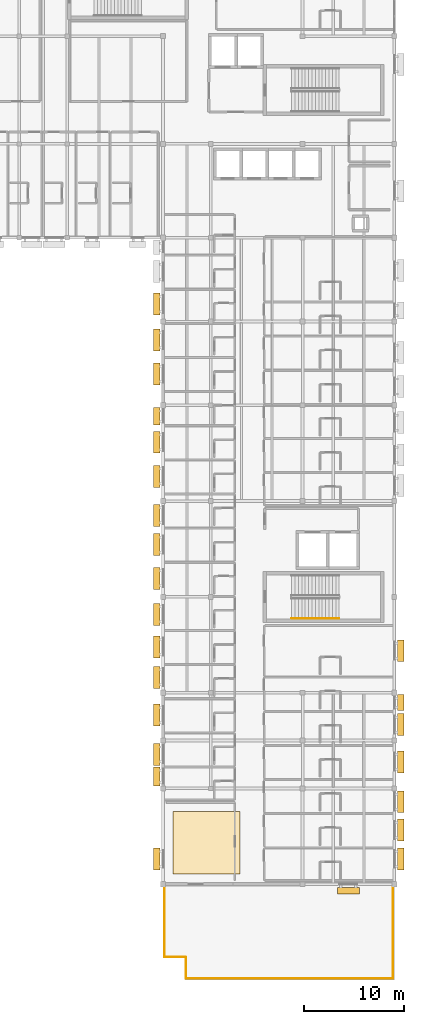
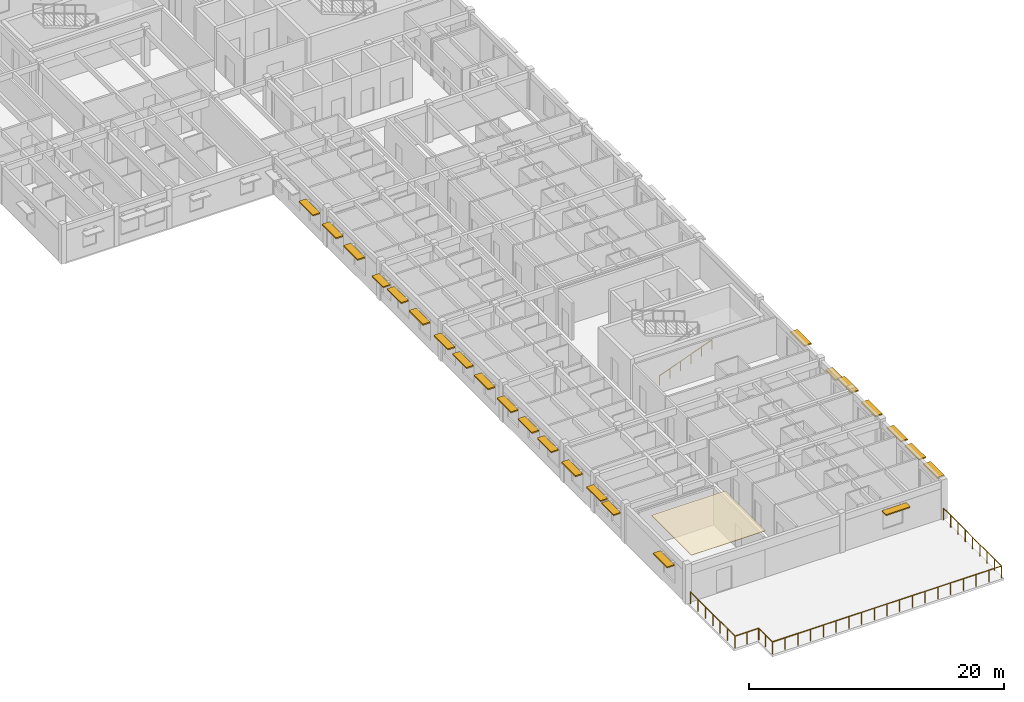
# One storey, part 18 of 22: 24 shading devices, 2 railings, 1 covering.
"""IFC4 building model written with IfcOpenShell, lengths in metres."""

from ifc_helpers import new_model, si_unit, direction, frame, origin, origin_2d, place, context, subcontext, project, spatial, polyline, rectangle, circle, outline, extrude, material, layer, layer_set, type_object, element, save


model = new_model("IFC4")

# Units and contexts
model_context = context("Model", 3, precision=1e-05, world=origin(), true_north=direction((0.0, 1.0)))
body_context = subcontext(model_context, "Body", "Model", "MODEL_VIEW")
ifc_project = project(units=[si_unit("LENGTHUNIT", "METRE"), si_unit("AREAUNIT", "SQUARE_METRE"), si_unit("VOLUMEUNIT", "CUBIC_METRE"), si_unit("PLANEANGLEUNIT", "RADIAN"), si_unit("MASSUNIT", "GRAM", prefix="KILO")], contexts=[model_context])

# Site, building, storey
site_placement = place(None, origin())
site = spatial("IfcSite", under=ifc_project, at=site_placement, CompositionType="ELEMENT")
building_placement = place(site_placement, origin())
building = spatial("IfcBuilding", under=site, at=building_placement, Name="Veldera Park Congress Hotel", CompositionType="ELEMENT")
storey_placement = place(building_placement, frame((0.0, 0.0, 23.800048828125)))
storey = spatial("IfcBuildingStorey", under=building, at=storey_placement, Name="L05", CompositionType="ELEMENT", Elevation=23.800048828125)

# Railing
ifc_material_1 = material(Name="Low-E Triple Insulating Glass Unit (SHGC 0.22)", Category="glass")
railing_type_1 = type_object("IfcRailingType", Name="BAL-TER115", PredefinedType="BALUSTRADE", material=ifc_material_1)
railing_1_placement = place(storey_placement, frame((60.93994140625, -38.139892578125, 0.0)))
element("IfcRailing", 1, at=railing_1_placement, inside=storey, type_object=railing_type_1, Name="L05 Terrace Guard 004", PredefinedType="BALUSTRADE", context=body_context, shape_type="SweptSolid", body=[
    extrude(circle(Radius=0.02392578125, at=origin_2d()), frame((0.0, 0.0, 1.1259765625), z_axis=(0.0, -1.0, 0.0), x_axis=(1.0, 0.0, 0.0)), (0.0, 0.0, 1.0), 6.97021484375),
    extrude(circle(Radius=0.02392578125, at=origin_2d()), frame((0.0, -6.97021484375, 1.1259765625), z_axis=(1.0, 0.0, 0.0), x_axis=(0.0, 1.0, 0.0)), (0.0, 0.0, 1.0), 2.150146484375),
    extrude(circle(Radius=0.02392578125, at=origin_2d()), frame((2.150146484375, -6.97021484375, 1.1259765625), z_axis=(0.0, -1.0, 0.0), x_axis=(1.0, 0.0, 0.0)), (0.0, 0.0, 1.0), 2.14990234375),
    extrude(circle(Radius=0.02392578125, at=origin_2d()), frame((2.150146484375, -9.1201171875, 1.1259765625), z_axis=(1.0, 0.0, 0.0), x_axis=(0.0, 1.0, 0.0)), (0.0, 0.0, 1.0), 20.77001953125),
    extrude(circle(Radius=0.02392578125, at=origin_2d()), frame((22.920166015625, -9.1201171875, 1.1259765625), z_axis=(0.0, 1.0, 0.0), x_axis=(-1.0, 0.0, 0.0)), (0.0, 0.0, 1.0), 9.1201171875),
    extrude(circle(Radius=0.02099609375, at=origin_2d()), origin(), (0.0, 0.0, 1.0), 1.101806640625),
    extrude(circle(Radius=0.02099609375, at=origin_2d()), frame((0.0, -1.16162109375, 0.0)), (0.0, 0.0, 1.0), 1.101806640625),
    extrude(circle(Radius=0.02099609375, at=origin_2d()), frame((0.0, -2.323486328125, 0.0)), (0.0, 0.0, 1.0), 1.101806640625),
    extrude(circle(Radius=0.02099609375, at=origin_2d()), frame((0.0, -3.485107421875, 0.0)), (0.0, 0.0, 1.0), 1.101806640625),
    extrude(circle(Radius=0.02099609375, at=origin_2d()), frame((0.0, -4.646728515625, 0.0)), (0.0, 0.0, 1.0), 1.101806640625),
    extrude(circle(Radius=0.02099609375, at=origin_2d()), frame((0.0, -5.80859375, 0.0)), (0.0, 0.0, 1.0), 1.101806640625),
    extrude(circle(Radius=0.02099609375, at=origin_2d()), frame((0.0, -6.97021484375, 0.0)), (0.0, 0.0, 1.0), 1.101806640625),
    extrude(circle(Radius=0.02099609375, at=origin_2d()), frame((1.0751953125, -6.97021484375, 0.0)), (0.0, 0.0, 1.0), 1.101806640625),
    extrude(circle(Radius=0.02099609375, at=origin_2d()), frame((2.150146484375, -6.97021484375, 0.0)), (0.0, 0.0, 1.0), 1.101806640625),
    extrude(circle(Radius=0.02099609375, at=origin_2d()), frame((2.150146484375, -8.045166015625, 0.0)), (0.0, 0.0, 1.0), 1.101806640625),
    extrude(circle(Radius=0.02099609375, at=origin_2d()), frame((2.150146484375, -9.1201171875, 0.0)), (0.0, 0.0, 1.0), 1.101806640625),
    extrude(circle(Radius=0.02099609375, at=origin_2d()), frame((3.303955078125, -9.1201171875, 0.0)), (0.0, 0.0, 1.0), 1.101806640625),
    extrude(circle(Radius=0.02099609375, at=origin_2d()), frame((4.4580078125, -9.1201171875, 0.0)), (0.0, 0.0, 1.0), 1.101806640625),
    extrude(circle(Radius=0.02099609375, at=origin_2d()), frame((5.61181640625, -9.1201171875, 0.0)), (0.0, 0.0, 1.0), 1.101806640625),
    extrude(circle(Radius=0.02099609375, at=origin_2d()), frame((6.765625, -9.1201171875, 0.0)), (0.0, 0.0, 1.0), 1.101806640625),
    extrude(circle(Radius=0.02099609375, at=origin_2d()), frame((7.919677734375, -9.1201171875, 0.0)), (0.0, 0.0, 1.0), 1.101806640625),
    extrude(circle(Radius=0.02099609375, at=origin_2d()), frame((9.073486328125, -9.1201171875, 0.0)), (0.0, 0.0, 1.0), 1.101806640625),
    extrude(circle(Radius=0.02099609375, at=origin_2d()), frame((10.227294921875, -9.1201171875, 0.0)), (0.0, 0.0, 1.0), 1.101806640625),
    extrude(circle(Radius=0.02099609375, at=origin_2d()), frame((11.38134765625, -9.1201171875, 0.0)), (0.0, 0.0, 1.0), 1.101806640625),
    extrude(circle(Radius=0.02099609375, at=origin_2d()), frame((12.53515625, -9.1201171875, 0.0)), (0.0, 0.0, 1.0), 1.101806640625),
    extrude(circle(Radius=0.02099609375, at=origin_2d()), frame((13.68896484375, -9.1201171875, 0.0)), (0.0, 0.0, 1.0), 1.101806640625),
    extrude(circle(Radius=0.02099609375, at=origin_2d()), frame((14.843017578125, -9.1201171875, 0.0)), (0.0, 0.0, 1.0), 1.101806640625),
    extrude(circle(Radius=0.02099609375, at=origin_2d()), frame((15.996826171875, -9.1201171875, 0.0)), (0.0, 0.0, 1.0), 1.101806640625),
    extrude(circle(Radius=0.02099609375, at=origin_2d()), frame((17.150634765625, -9.1201171875, 0.0)), (0.0, 0.0, 1.0), 1.101806640625),
    extrude(circle(Radius=0.02099609375, at=origin_2d()), frame((18.3046875, -9.1201171875, 0.0)), (0.0, 0.0, 1.0), 1.101806640625),
    extrude(circle(Radius=0.02099609375, at=origin_2d()), frame((19.45849609375, -9.1201171875, 0.0)), (0.0, 0.0, 1.0), 1.101806640625),
    extrude(circle(Radius=0.02099609375, at=origin_2d()), frame((20.6123046875, -9.1201171875, 0.0)), (0.0, 0.0, 1.0), 1.101806640625),
    extrude(circle(Radius=0.02099609375, at=origin_2d()), frame((21.766357421875, -9.1201171875, 0.0)), (0.0, 0.0, 1.0), 1.101806640625),
    extrude(circle(Radius=0.02099609375, at=origin_2d()), frame((22.920166015625, -9.1201171875, 0.0)), (0.0, 0.0, 1.0), 1.101806640625),
    extrude(circle(Radius=0.02099609375, at=origin_2d()), frame((22.920166015625, -7.97998046875, 0.0)), (0.0, 0.0, 1.0), 1.101806640625),
    extrude(circle(Radius=0.02099609375, at=origin_2d()), frame((22.920166015625, -6.840087890625, 0.0)), (0.0, 0.0, 1.0), 1.101806640625),
    extrude(circle(Radius=0.02099609375, at=origin_2d()), frame((22.920166015625, -5.7001953125, 0.0)), (0.0, 0.0, 1.0), 1.101806640625),
    extrude(circle(Radius=0.02099609375, at=origin_2d()), frame((22.920166015625, -4.56005859375, 0.0)), (0.0, 0.0, 1.0), 1.101806640625),
    extrude(circle(Radius=0.02099609375, at=origin_2d()), frame((22.920166015625, -3.419921875, 0.0)), (0.0, 0.0, 1.0), 1.101806640625),
    extrude(circle(Radius=0.02099609375, at=origin_2d()), frame((22.920166015625, -2.280029296875, 0.0)), (0.0, 0.0, 1.0), 1.101806640625),
    extrude(circle(Radius=0.02099609375, at=origin_2d()), frame((22.920166015625, -1.14013671875, 0.0)), (0.0, 0.0, 1.0), 1.101806640625),
    extrude(circle(Radius=0.02099609375, at=origin_2d()), frame((22.920166015625, 0.0, 0.0)), (0.0, 0.0, 1.0), 1.101806640625),
])

# Covering
ifc_material_2 = material(Name="Micro-Perforated Western Hemlock Acoustic Timber", Category="wood")
ifc_layer = layer(ifc_material_2, 0.044921875)
ifc_layer_set = layer_set([ifc_layer], Name="Micro-Perforated Western Hemlock Acoustic Timber")
covering_type = type_object("IfcCoveringType", Name="COV-CLG-TIM", PredefinedType="CEILING", material=ifc_layer_set)
covering_placement = place(storey_placement, frame((0.0, 0.0, 3.5048828125)))
element("IfcCovering", 2, at=covering_placement, inside=storey, type_object=covering_type, Name="Terrace Salon Acoustic Ceiling", PredefinedType="CEILING", context=body_context, shape_type="SweptSolid", body=[
    extrude(outline(polyline([(61.800048828125, -36.800048828125), (68.5, -36.800048828125), (68.5, -30.5), (61.800048828125, -30.5), (61.800048828125, -36.800048828125)])), origin(), (0.0, 0.0, 1.0), 0.045166015625),
])

# Railing
ifc_material_3 = material(Name="Steel ASTM A992 Gr.50", Category="steel")
railing_type_2 = type_object("IfcRailingType", Name="HRL-920", PredefinedType="HANDRAIL", material=ifc_material_3)
railing_2_placement = place(storey_placement, frame((73.699951171875, -11.14990234375, 0.126708984375)))
element("IfcRailing", 3, at=railing_2_placement, inside=storey, type_object=railing_type_2, Name="L05 ST2 stair handrail 1", PredefinedType="HANDRAIL", context=body_context, shape_type="SweptSolid", body=[
    extrude(circle(Radius=0.02392578125, at=origin_2d()), frame((0.0, 0.0, 0.89599609375), z_axis=(0.937091363699, 0.0, 0.349084196263), x_axis=(0.0, 1.0, 0.0)), (0.0, 0.0, 1.0), 5.07958984375),
    extrude(circle(Radius=0.02099609375, at=origin_2d()), origin(), (0.0, 0.0, 1.0), 0.871826171875),
    extrude(circle(Radius=0.02099609375, at=origin_2d()), frame((0.951904296875, 0.0, 0.354736328125)), (0.0, 0.0, 1.0), 0.871826171875),
    extrude(circle(Radius=0.02099609375, at=origin_2d()), frame((1.904052734375, 0.0, 0.709228515625)), (0.0, 0.0, 1.0), 0.871826171875),
    extrude(circle(Radius=0.02099609375, at=origin_2d()), frame((2.85595703125, 0.0, 1.06396484375)), (0.0, 0.0, 1.0), 0.871826171875),
    extrude(circle(Radius=0.02099609375, at=origin_2d()), frame((3.80810546875, 0.0, 1.41845703125)), (0.0, 0.0, 1.0), 0.871826171875),
    extrude(circle(Radius=0.02099609375, at=origin_2d()), frame((4.760009765625, 0.0, 1.773193359375)), (0.0, 0.0, 1.0), 0.871826171875),
])

# Shading devices
ifc_material_4 = material(Name="Glulam GL28h (NDS 24F-V4)", Category="wood")
shading_device_type = type_object("IfcShadingDeviceType", Name="SHD-LVR300", PredefinedType="JALOUSIE", material=ifc_material_4)
for number, where, z_axis, x_axis, name in (
    (4, (79.389892578125, -38.43505859375, 2.719970703125), (0.0, 0.0, 1.0), (1.0, 0.0, 0.0), "Glulam Solar Shade 158"),
    (5, (84.635009765625, -35.27099609375, 2.719970703125), (0.0, 0.0, 1.0), (0.0, 1.0, 0.0), "Glulam Solar Shade 159"),
    (6, (60.1650390625, -35.27099609375, 2.719970703125), (0.0, 0.0, 1.0), (0.0, -1.0, 0.0), "Glulam Solar Shade 170"),
):
    element("IfcShadingDevice", number, at=place(storey_placement, frame(where, z_axis=z_axis, x_axis=x_axis)), inside=storey, type_object=shading_device_type, Name=name, PredefinedType="JALOUSIE", context=body_context, shape_type="SweptSolid", body=[
        extrude(rectangle(XDim=2.199951171875, YDim=0.64990234375, at=origin_2d()), origin(), (0.0, 0.0, 1.0), 0.1201171875),
    ])
shading_device_1_placement = place(storey_placement, frame((60.1650390625, -26.99609375, 2.619873046875), z_axis=(0.0, 0.0, 1.0), x_axis=(0.0, -1.0, 0.0)))
element("IfcShadingDevice", 7, at=shading_device_1_placement, inside=storey, type_object=shading_device_type, Name="Glulam Solar Shade 394", PredefinedType="JALOUSIE", context=body_context, shape_type="SweptSolid", body=[
    extrude(rectangle(XDim=1.89990234375, YDim=0.64990234375, at=origin_2d()), origin(), (0.0, 0.0, 1.0), 0.1201171875),
])
for number, where, z_axis, x_axis, name in (
    (8, (60.1650390625, -24.7939453125, 2.719970703125), (0.0, 0.0, 1.0), (0.0, -1.0, 0.0), "Glulam Solar Shade 395"),
    (9, (60.1650390625, -20.860107421875, 2.719970703125), (0.0, 0.0, 1.0), (0.0, -1.0, 0.0), "Glulam Solar Shade 396"),
    (10, (60.1650390625, -17.06591796875, 2.719970703125), (0.0, 0.0, 1.0), (0.0, -1.0, 0.0), "Glulam Solar Shade 397"),
    (11, (60.1650390625, -14.02001953125, 2.719970703125), (0.0, 0.0, 1.0), (0.0, -1.0, 0.0), "Glulam Solar Shade 398"),
    (12, (60.1650390625, -10.75390625, 2.719970703125), (0.0, 0.0, 1.0), (0.0, -1.0, 0.0), "Glulam Solar Shade 399"),
    (13, (60.1650390625, -7.135986328125, 2.719970703125), (0.0, 0.0, 1.0), (0.0, -1.0, 0.0), "Glulam Solar Shade 400"),
    (14, (60.1650390625, -3.760009765625, 2.719970703125), (0.0, 0.0, 1.0), (0.0, -1.0, 0.0), "Glulam Solar Shade 401"),
    (15, (60.1650390625, -0.823974609375, 2.719970703125), (0.0, 0.0, 1.0), (0.0, -1.0, 0.0), "Glulam Solar Shade 402"),
    (16, (60.1650390625, 3.080078125, 2.719970703125), (0.0, 0.0, 1.0), (0.0, -1.0, 0.0), "Glulam Solar Shade 403"),
    (17, (60.1650390625, 6.5, 2.719970703125), (0.0, 0.0, 1.0), (0.0, -1.0, 0.0), "Glulam Solar Shade 404"),
):
    element("IfcShadingDevice", number, at=place(storey_placement, frame(where, z_axis=z_axis, x_axis=x_axis)), inside=storey, type_object=shading_device_type, Name=name, PredefinedType="JALOUSIE", context=body_context, shape_type="SweptSolid", body=[
        extrude(rectangle(XDim=2.199951171875, YDim=0.64990234375, at=origin_2d()), origin(), (0.0, 0.0, 1.0), 0.1201171875),
    ])
shading_device_2_placement = place(storey_placement, frame((60.1650390625, 9.10595703125, 2.519775390625), z_axis=(0.0, 0.0, 1.0), x_axis=(0.0, -1.0, 0.0)))
element("IfcShadingDevice", 18, at=shading_device_2_placement, inside=storey, type_object=shading_device_type, Name="Glulam Solar Shade 405", PredefinedType="JALOUSIE", context=body_context, shape_type="SweptSolid", body=[
    extrude(rectangle(XDim=1.75, YDim=0.64990234375, at=origin_2d()), origin(), (0.0, 0.0, 1.0), 0.1201171875),
])
for number, where, z_axis, x_axis, name in (
    (19, (60.1650390625, 13.340087890625, 2.719970703125), (0.0, 0.0, 1.0), (0.0, -1.0, 0.0), "Glulam Solar Shade 406"),
    (20, (60.1650390625, 16.72607421875, 2.719970703125), (0.0, 0.0, 1.0), (0.0, -1.0, 0.0), "Glulam Solar Shade 407"),
    (21, (60.1650390625, 20.343994140625, 2.719970703125), (0.0, 0.0, 1.0), (0.0, -1.0, 0.0), "Glulam Solar Shade 408"),
    (22, (84.635009765625, -32.3798828125, 2.719970703125), (0.0, 0.0, 1.0), (0.0, 1.0, 0.0), "Glulam Solar Shade 411"),
    (23, (84.635009765625, -29.533935546875, 2.719970703125), (0.0, 0.0, 1.0), (0.0, 1.0, 0.0), "Glulam Solar Shade 412"),
    (24, (84.635009765625, -25.5400390625, 2.719970703125), (0.0, 0.0, 1.0), (0.0, 1.0, 0.0), "Glulam Solar Shade 413"),
    (25, (84.635009765625, -21.805908203125, 2.719970703125), (0.0, 0.0, 1.0), (0.0, 1.0, 0.0), "Glulam Solar Shade 414"),
):
    element("IfcShadingDevice", number, at=place(storey_placement, frame(where, z_axis=z_axis, x_axis=x_axis)), inside=storey, type_object=shading_device_type, Name=name, PredefinedType="JALOUSIE", context=body_context, shape_type="SweptSolid", body=[
        extrude(rectangle(XDim=2.199951171875, YDim=0.64990234375, at=origin_2d()), origin(), (0.0, 0.0, 1.0), 0.1201171875),
    ])
shading_device_3_placement = place(storey_placement, frame((84.635009765625, -19.60400390625, 2.419921875), z_axis=(0.0, 0.0, 1.0), x_axis=(0.0, 1.0, 0.0)))
element("IfcShadingDevice", 26, at=shading_device_3_placement, inside=storey, type_object=shading_device_type, Name="Glulam Solar Shade 415", PredefinedType="JALOUSIE", context=body_context, shape_type="SweptSolid", body=[
    extrude(rectangle(XDim=1.60009765625, YDim=0.64990234375, at=origin_2d()), origin(), (0.0, 0.0, 1.0), 0.1201171875),
])
shading_device_4_placement = place(storey_placement, frame((84.635009765625, -14.39990234375, 2.719970703125), z_axis=(0.0, 0.0, 1.0), x_axis=(0.0, 1.0, 0.0)))
element("IfcShadingDevice", 27, at=shading_device_4_placement, inside=storey, type_object=shading_device_type, Name="Glulam Solar Shade 416", PredefinedType="JALOUSIE", context=body_context, shape_type="SweptSolid", body=[
    extrude(rectangle(XDim=2.199951171875, YDim=0.64990234375, at=origin_2d()), origin(), (0.0, 0.0, 1.0), 0.1201171875),
])

save(model, "model.ifc")
